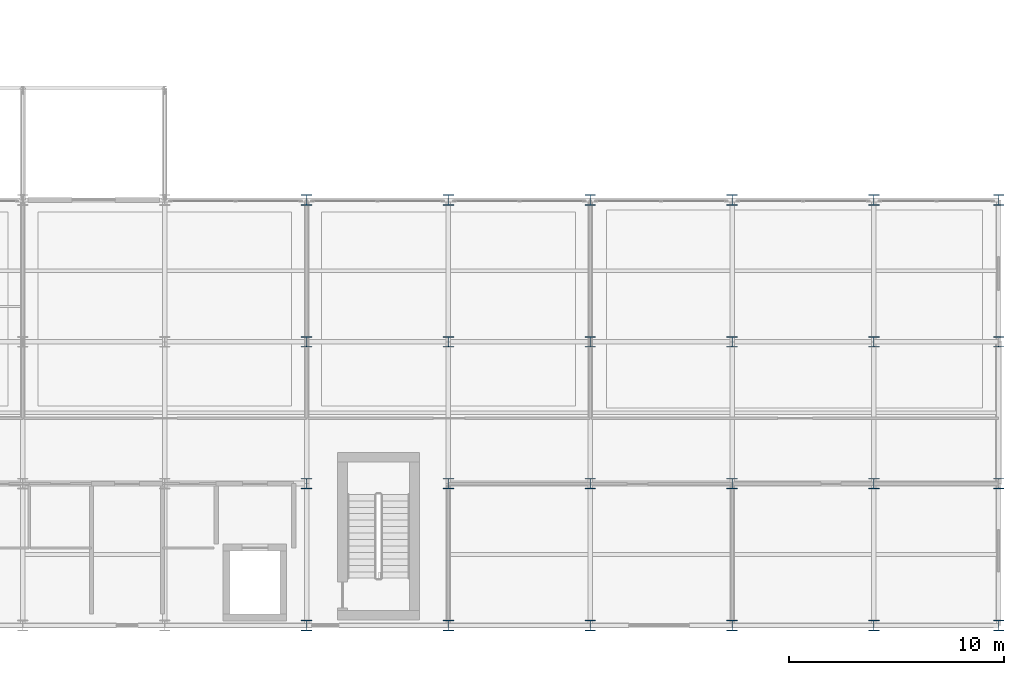
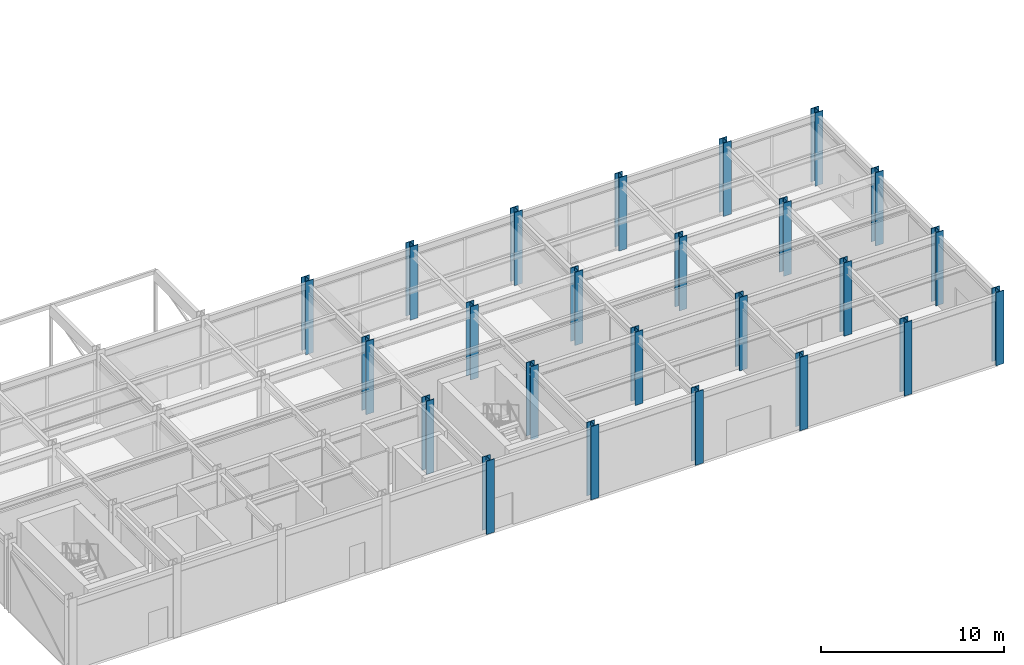
# One storey, part 17 of 144: 24 columns.
"""IFC4 building model written with IfcOpenShell, lengths in metres."""

from ifc_helpers import new_model, si_unit, direction, frame, origin, origin_2d, place, context, subcontext, project, spatial, i_section, extrude, material, material_profile, profile_set, type_object, element, save


model = new_model("IFC4")

# Units and contexts
model_context = context("Model", 3, precision=1e-05, world=origin(), true_north=direction((0.0, 1.0)))
body_context = subcontext(model_context, "Body", "Model", "MODEL_VIEW")
ifc_project = project(units=[si_unit("LENGTHUNIT", "METRE"), si_unit("AREAUNIT", "SQUARE_METRE"), si_unit("VOLUMEUNIT", "CUBIC_METRE"), si_unit("PLANEANGLEUNIT", "RADIAN"), si_unit("MASSUNIT", "GRAM", prefix="KILO")], contexts=[model_context])

# Site, building, storey
site_placement = place(None, origin())
site = spatial("IfcSite", under=ifc_project, at=site_placement, CompositionType="ELEMENT")
building_placement = place(site_placement, origin())
building = spatial("IfcBuilding", under=site, at=building_placement, Name="Karori Crest Natural Sciences Institute", CompositionType="ELEMENT")
storey_placement = place(building_placement, origin())
storey = spatial("IfcBuildingStorey", under=building, at=storey_placement, Name="L00", CompositionType="ELEMENT", Elevation=0.0)

# Columns
ifc_material = material(Name="Structural steel AS/NZS 3679.1 Grade 350", Category="steel")
ifc_material_profile_1 = material_profile(ifc_material, i_section(OverallWidth=0.5, OverallDepth=0.5, WebThickness=0.02197265625, FlangeThickness=0.0400390625, FilletRadius=0.01611328125, at=origin_2d()), Name="500WC440")
ifc_profile_set_1 = profile_set([ifc_material_profile_1], Name="Structural steel AS/NZS 3679.1 Grade 350")
column_type_1 = type_object("IfcColumnType", Name="CT-01", PredefinedType="COLUMN", material=ifc_profile_set_1)
for number, where, z_axis, x_axis, name in (
    (1, (130.0, 7.39990234375, 0.0), (0.0, 0.0, 1.0), (1.0, 0.0, 0.0), "Column C-1222"),
    (2, (130.0, 14.0, 0.0), (0.0, 0.0, 1.0), (1.0, 0.0, 0.0), "Column C-1234"),
    (3, (136.60009765625, 7.39990234375, 0.0), (0.0, 0.0, 1.0), (1.0, 0.0, 0.0), "Column C-1270"),
    (4, (136.60009765625, 14.0, 0.0), (0.0, 0.0, 1.0), (1.0, 0.0, 0.0), "Column C-1282"),
    (5, (143.199951171875, 7.39990234375, 0.0), (0.0, 0.0, 1.0), (1.0, 0.0, 0.0), "Column C-1317"),
    (6, (143.199951171875, 14.0, 0.0), (0.0, 0.0, 1.0), (1.0, 0.0, 0.0), "Column C-1328"),
    (7, (149.800048828125, 7.39990234375, 0.0), (0.0, 0.0, 1.0), (1.0, 0.0, 0.0), "Column C-1361"),
    (8, (149.800048828125, 14.0, 0.0), (0.0, 0.0, 1.0), (1.0, 0.0, 0.0), "Column C-1372"),
    (9, (156.39990234375, 7.39990234375, 0.0), (0.0, 0.0, 1.0), (1.0, 0.0, 0.0), "Column C-1403"),
    (10, (156.39990234375, 14.0, 0.0), (0.0, 0.0, 1.0), (1.0, 0.0, 0.0), "Column C-1412"),
):
    element("IfcColumn", number, at=place(storey_placement, frame(where, z_axis=z_axis, x_axis=x_axis)), inside=storey, type_object=column_type_1, Name=name, PredefinedType="COLUMN", context=body_context, shape_type="SweptSolid", body=[
        extrude(i_section(OverallWidth=0.5, OverallDepth=0.5, WebThickness=0.02197265625, FlangeThickness=0.0400390625, FilletRadius=0.01611328125, at=origin_2d()), origin(), (0.0, 0.0, 1.0), 4.89990234375),
    ])
ifc_material_profile_2 = material_profile(ifc_material, i_section(OverallWidth=0.5, OverallDepth=0.5, WebThickness=0.02197265625, FlangeThickness=0.0400390625, FilletRadius=0.01611328125, at=origin_2d()), Name="500WC440")
ifc_profile_set_2 = profile_set([ifc_material_profile_2], Name="Structural steel AS/NZS 3679.1 Grade 350")
column_type_2 = type_object("IfcColumnType", Name="CT-01-EL", PredefinedType="COLUMN", material=ifc_profile_set_2)
for number, where, z_axis, x_axis, name in (
    (11, (130.0, 0.800048828125, 0.0), (0.0, 0.0, 1.0), (1.0, 0.0, 0.0), "Column C-1210"),
    (12, (130.0, 20.60009765625, 0.0), (0.0, 0.0, 1.0), (1.0, 0.0, 0.0), "Column C-1246"),
    (13, (136.60009765625, 0.800048828125, 0.0), (0.0, 0.0, 1.0), (1.0, 0.0, 0.0), "Column C-1258"),
    (14, (136.60009765625, 20.60009765625, 0.0), (0.0, 0.0, 1.0), (1.0, 0.0, 0.0), "Column C-1294"),
    (15, (143.199951171875, 0.800048828125, 0.0), (0.0, 0.0, 1.0), (1.0, 0.0, 0.0), "Column C-1306"),
    (16, (143.199951171875, 20.60009765625, 0.0), (0.0, 0.0, 1.0), (1.0, 0.0, 0.0), "Column C-1339"),
    (17, (149.800048828125, 0.800048828125, 0.0), (0.0, 0.0, 1.0), (1.0, 0.0, 0.0), "Column C-1350"),
    (18, (149.800048828125, 20.60009765625, 0.0), (0.0, 0.0, 1.0), (1.0, 0.0, 0.0), "Column C-1383"),
    (19, (156.39990234375, 0.800048828125, 0.0), (0.0, 0.0, 1.0), (1.0, 0.0, 0.0), "Column C-1394"),
    (20, (156.39990234375, 20.60009765625, 0.0), (0.0, 0.0, 1.0), (1.0, 0.0, 0.0), "Column C-1421"),
    (21, (162.199951171875, 0.800048828125, 0.0), (0.0, 0.0, 1.0), (1.0, 0.0, 0.0), "Column C-1430"),
    (22, (162.199951171875, 7.39990234375, 0.0), (0.0, 0.0, 1.0), (1.0, 0.0, 0.0), "Column C-1437"),
    (23, (162.199951171875, 14.0, 0.0), (0.0, 0.0, 1.0), (1.0, 0.0, 0.0), "Column C-1444"),
    (24, (162.199951171875, 20.60009765625, 0.0), (0.0, 0.0, 1.0), (1.0, 0.0, 0.0), "Column C-1451"),
):
    element("IfcColumn", number, at=place(storey_placement, frame(where, z_axis=z_axis, x_axis=x_axis)), inside=storey, type_object=column_type_2, Name=name, PredefinedType="COLUMN", context=body_context, shape_type="SweptSolid", body=[
        extrude(i_section(OverallWidth=0.5, OverallDepth=0.5, WebThickness=0.02197265625, FlangeThickness=0.0400390625, FilletRadius=0.01611328125, at=origin_2d()), origin(), (0.0, 0.0, 1.0), 4.89990234375),
    ])

save(model, "model.ifc")
